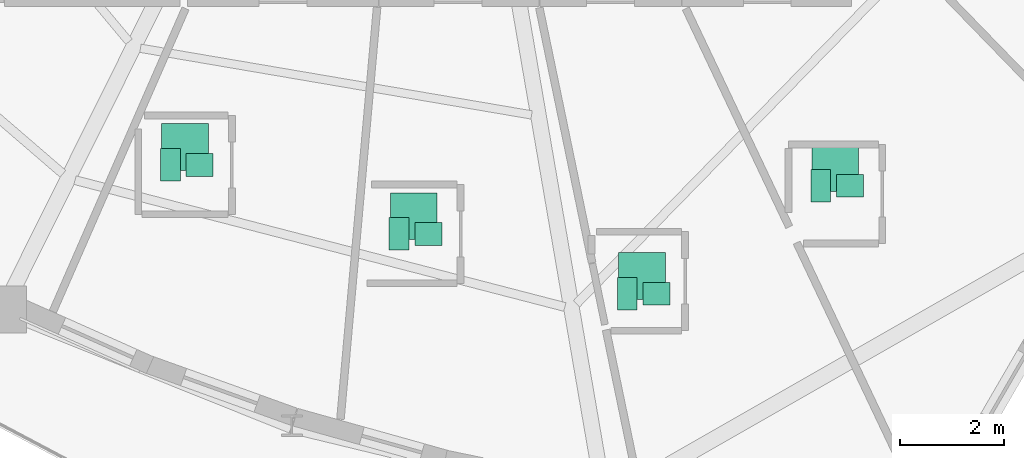
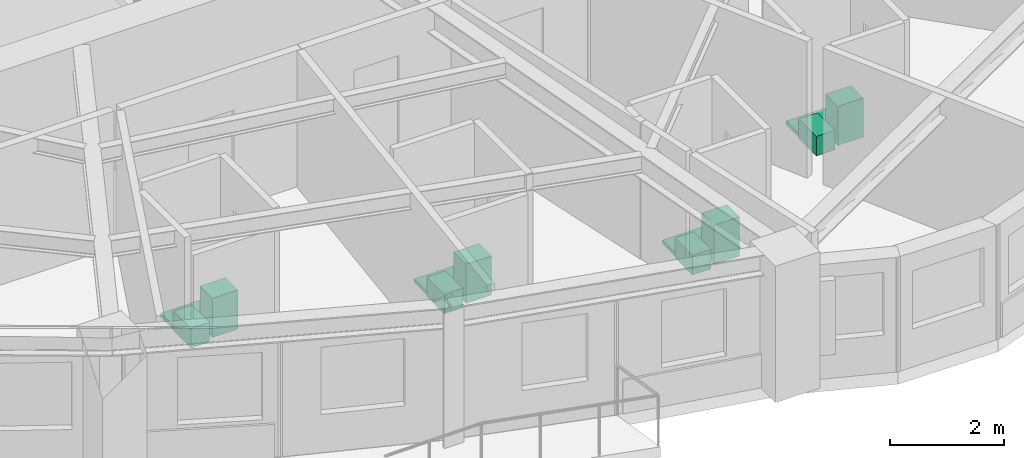
# One storey, part 14 of 14: 12 sanitary terminals.
"""IFC4 building model written with IfcOpenShell, lengths in metres."""

from ifc_helpers import new_model, si_unit, direction, frame, origin, origin_2d, place, context, subcontext, project, spatial, rectangle, extrude, source, transform, mapped, material, type_object, element, save


model = new_model("IFC4")

# Units and contexts
model_context = context("Model", 3, precision=1e-05, world=origin(), true_north=direction((0.0, 1.0)))
body_context = subcontext(model_context, "Body", "Model", "MODEL_VIEW")
ifc_project = project(units=[si_unit("LENGTHUNIT", "METRE"), si_unit("AREAUNIT", "SQUARE_METRE"), si_unit("VOLUMEUNIT", "CUBIC_METRE"), si_unit("PLANEANGLEUNIT", "RADIAN"), si_unit("MASSUNIT", "GRAM", prefix="KILO")], contexts=[model_context])

# Site, building, storey
site_placement = place(None, origin())
site = spatial("IfcSite", under=ifc_project, at=site_placement, CompositionType="ELEMENT")
building_placement = place(site_placement, origin())
building = spatial("IfcBuilding", under=site, at=building_placement, Name="Qafzar Sky-Pleat Residences", CompositionType="ELEMENT")
storey_placement = place(building_placement, frame((0.0, 0.0, 83.199951171875)))
storey = spatial("IfcBuildingStorey", under=building, at=storey_placement, Name="L24", CompositionType="ELEMENT", Elevation=83.199951171875)

# Sanitary terminals
ifc_material_1 = material(Name="Vitreous china sanitaryware")
sanitary_terminal_type_1 = type_object("IfcSanitaryTerminalType", Name="SAN-WC-PAN", PredefinedType="TOILETPAN", material=ifc_material_1)
shared_shape_1 = source(origin(), body_context, "Body", "SweptSolid", [
    extrude(rectangle(XDim=0.3798828125, YDim=0.6201171875, at=origin_2d()), origin(), (0.0, 0.0, 1.0), 0.419921875),
])
for number, where, z_axis, x_axis, name in (
    (1, (25.445068359375, 12.449951171875, 0.0), (0.0, 0.0, 1.0), (1.0, 0.0, 0.0), "L24 En-suite Bathroom 1 WC Pan"),
    (2, (29.837890625, 11.1240234375, 0.0), (0.0, 0.0, 1.0), (1.0, 0.0, 0.0), "L24 En-suite Bathroom 2 WC Pan"),
    (3, (34.22021484375, 9.974609375, 0.0), (0.0, 0.0, 1.0), (1.0, 0.0, 0.0), "L24 En-suite Bathroom 3 WC Pan"),
    (4, (37.93701171875, 12.048828125, 0.0), (0.0, 0.0, 1.0), (1.0, 0.0, 0.0), "L24 En-suite Bathroom 4 WC Pan"),
):
    element("IfcSanitaryTerminal", number, at=place(storey_placement, frame(where, z_axis=z_axis, x_axis=x_axis)), inside=storey, type_object=sanitary_terminal_type_1, Name=name, PredefinedType="TOILETPAN", context=body_context, shape_type="MappedRepresentation", body=[
        mapped(shared_shape_1, transform((0.0, 0.0, 0.0), x_axis=(1.0, 0.0, 0.0), y_axis=(0.0, 1.0, 0.0), z_axis=(0.0, 0.0, 1.0), scale=1.0)),
    ])
sanitary_terminal_type_2 = type_object("IfcSanitaryTerminalType", Name="SAN-BASIN", PredefinedType="WASHHANDBASIN", material=ifc_material_1)
shared_shape_2 = source(origin(), body_context, "Body", "SweptSolid", [
    extrude(rectangle(XDim=0.52001953125, YDim=0.43994140625, at=origin_2d()), origin(), (0.0, 0.0, 1.0), 0.840087890625),
])
for number, where, z_axis, x_axis, name in (
    (5, (26.0048828125, 12.449951171875, 0.0), (0.0, 0.0, 1.0), (1.0, 0.0, 0.0), "L24 En-suite Bathroom 1 Pedestal Washbasin"),
    (6, (30.39794921875, 11.1240234375, 0.0), (0.0, 0.0, 1.0), (1.0, 0.0, 0.0), "L24 En-suite Bathroom 2 Pedestal Washbasin"),
    (7, (34.7802734375, 9.974609375, 0.0), (0.0, 0.0, 1.0), (1.0, 0.0, 0.0), "L24 En-suite Bathroom 3 Pedestal Washbasin"),
    (8, (38.4970703125, 12.048828125, 0.0), (0.0, 0.0, 1.0), (1.0, 0.0, 0.0), "L24 En-suite Bathroom 4 Pedestal Washbasin"),
):
    element("IfcSanitaryTerminal", number, at=place(storey_placement, frame(where, z_axis=z_axis, x_axis=x_axis)), inside=storey, type_object=sanitary_terminal_type_2, Name=name, PredefinedType="WASHHANDBASIN", context=body_context, shape_type="MappedRepresentation", body=[
        mapped(shared_shape_2, transform((0.0, 0.0, 0.0), x_axis=(1.0, 0.0, 0.0), y_axis=(0.0, 1.0, 0.0), z_axis=(0.0, 0.0, 1.0), scale=1.0)),
    ])
ifc_material_2 = material(Name="Vitreous china and acrylic tray")
sanitary_terminal_type_3 = type_object("IfcSanitaryTerminalType", Name="SAN-SHOWER", PredefinedType="SHOWER", material=ifc_material_2)
shared_shape_3 = source(origin(), body_context, "Body", "SweptSolid", [
    extrude(rectangle(XDim=0.89990234375, YDim=0.89990234375, at=origin_2d()), origin(), (0.0, 0.0, 1.0), 0.080078125),
])
for number, where, z_axis, x_axis, name in (
    (9, (25.72509765625, 12.7900390625, 0.0), (0.0, 0.0, 1.0), (1.0, 0.0, 0.0), "L24 En-suite Bathroom 1 Walk-In Shower"),
    (10, (30.117919921875, 11.464111328125, 0.0), (0.0, 0.0, 1.0), (1.0, 0.0, 0.0), "L24 En-suite Bathroom 2 Walk-In Shower"),
    (11, (34.500244140625, 10.314697265625, 0.0), (0.0, 0.0, 1.0), (1.0, 0.0, 0.0), "L24 En-suite Bathroom 3 Walk-In Shower"),
    (12, (38.217041015625, 12.388916015625, 0.0), (0.0, 0.0, 1.0), (1.0, 0.0, 0.0), "L24 En-suite Bathroom 4 Walk-In Shower"),
):
    element("IfcSanitaryTerminal", number, at=place(storey_placement, frame(where, z_axis=z_axis, x_axis=x_axis)), inside=storey, type_object=sanitary_terminal_type_3, Name=name, PredefinedType="SHOWER", context=body_context, shape_type="MappedRepresentation", body=[
        mapped(shared_shape_3, transform((0.0, 0.0, 0.0), x_axis=(1.0, 0.0, 0.0), y_axis=(0.0, 1.0, 0.0), z_axis=(0.0, 0.0, 1.0), scale=1.0)),
    ])

save(model, "model.ifc")
